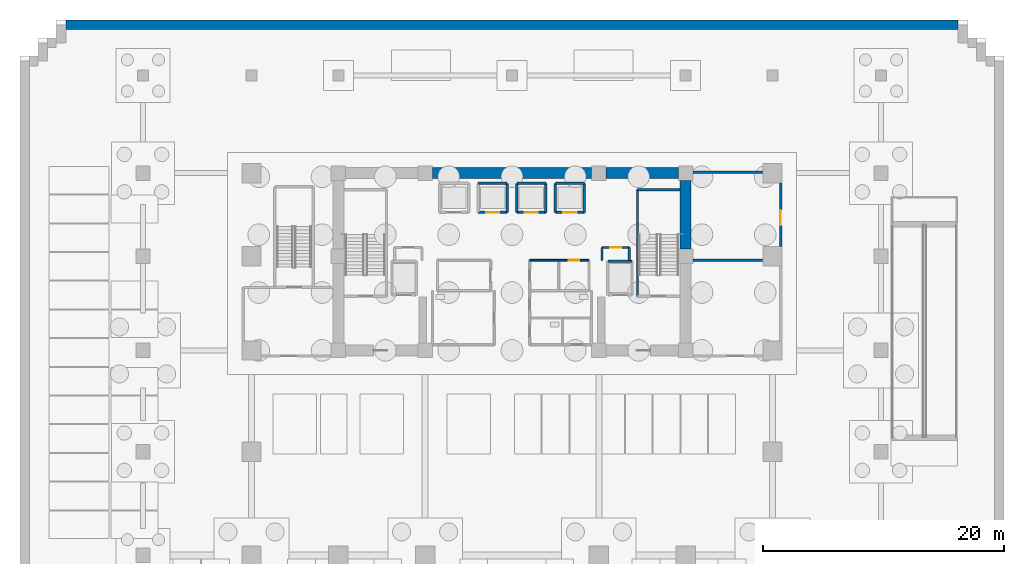
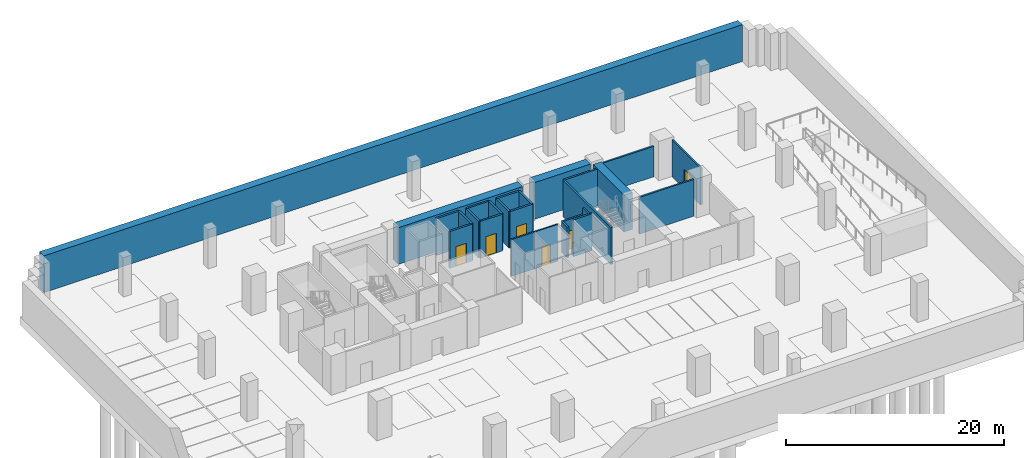
# One storey, part 5 of 13: 26 walls, 6 doors, 6 openings.
"""IFC4 building model written with IfcOpenShell, lengths in metres."""

from ifc_helpers import new_model, si_unit, direction, frame, frame_2d, origin, place, context, subcontext, project, spatial, rectangle, extrude, source, transform, mapped, material, layer, layer_set, type_object, element, fill, save


model = new_model("IFC4")

# Units and contexts
model_context = context("Model", 3, precision=1e-05, world=origin(), true_north=direction((0.0, 1.0)))
body_context = subcontext(model_context, "Body", "Model", "MODEL_VIEW")
ifc_project = project(units=[si_unit("LENGTHUNIT", "METRE"), si_unit("AREAUNIT", "SQUARE_METRE"), si_unit("VOLUMEUNIT", "CUBIC_METRE"), si_unit("PLANEANGLEUNIT", "RADIAN"), si_unit("MASSUNIT", "GRAM", prefix="KILO")], contexts=[model_context])

# Site, building, storey
site_placement = place(None, origin())
site = spatial("IfcSite", under=ifc_project, at=site_placement, CompositionType="ELEMENT")
building_placement = place(site_placement, origin())
building = spatial("IfcBuilding", under=site, at=building_placement, Name="Zarnakvel Exchange Tower", CompositionType="ELEMENT")
storey_placement = place(building_placement, frame((0.0, 0.0, -13.199951171875)))
storey = spatial("IfcBuildingStorey", under=building, at=storey_placement, Name="B03", CompositionType="ELEMENT", Elevation=-13.199951171875)

# Walls
ifc_material_1 = material(Name="Concrete C80/95", Category="concrete")
ifc_layer_1 = layer(ifc_material_1, 0.89990234375)
ifc_layer_set_1 = layer_set([ifc_layer_1], Name="Concrete C80/95")
wall_type_1 = type_object("IfcWallType", Name="CW-C1", PredefinedType="SHEAR", material=ifc_layer_set_1)
wall_1_placement = place(storey_placement, frame((-6.60009765625, 13.5, 0.0), z_axis=(0.0, 0.0, 1.0), x_axis=(1.0, 0.0, 0.0)))
element("IfcWall", 1, at=wall_1_placement, inside=storey, type_object=wall_type_1, Name="B03 Rear Core Shear Wall N2 (CW-C1)", PredefinedType="SHEAR", context=body_context, shape_type="SweptSolid", body=[
    extrude(rectangle(XDim=13.2001953125, YDim=0.89990234375, at=frame_2d((6.60009765625, 0.0))), origin(), (0.0, 0.0, 1.0), 4.119873046875),
])
wall_2_placement = place(storey_placement, frame((7.800048828125, 13.5, 0.0), z_axis=(0.0, 0.0, 1.0), x_axis=(1.0, 0.0, 0.0)))
element("IfcWall", 2, at=wall_2_placement, inside=storey, type_object=wall_type_1, Name="B03 Rear Core Shear Wall N3 (CW-C1)", PredefinedType="SHEAR", context=body_context, shape_type="SweptSolid", body=[
    extrude(rectangle(XDim=6.0, YDim=0.89990234375, at=frame_2d((3.0, 0.0))), origin(), (0.0, 0.0, 1.0), 4.119873046875),
])
wall_3_placement = place(storey_placement, frame((14.39990234375, 7.199951171875, 0.0), z_axis=(0.0, 0.0, 1.0), x_axis=(0.0, 1.0, 0.0)))
element("IfcWall", 3, at=wall_3_placement, inside=storey, type_object=wall_type_1, Name="B03 Rear Core Shear Wall E2 (CW-C1)", PredefinedType="SHEAR", context=body_context, shape_type="SweptSolid", body=[
    extrude(rectangle(XDim=5.699951171875, YDim=0.89990234375, at=frame_2d((2.85009765625, 0.0))), origin(), (0.0, 0.0, 1.0), 4.119873046875),
])
ifc_material_2 = material(Name="Fire-Rated Gypsum Stud Partition", Category="gypsum")
ifc_layer_2 = layer(ifc_material_2, 0.14990234375)
ifc_layer_set_2 = layer_set([ifc_layer_2], Name="Fire-Rated Gypsum Stud Partition")
wall_type_2 = type_object("IfcWallType", Name="PT-01", PredefinedType="PARTITIONING", material=ifc_layer_set_2)
wall_4_placement = place(storey_placement, frame((1.469970703125, 6.280029296875, 0.0), z_axis=(0.0, 0.0, 1.0), x_axis=(1.0, 0.0, 0.0)))
element("IfcWall", 4, at=wall_4_placement, inside=storey, type_object=wall_type_2, Name="B03 Partition Wall PWALL-B03-018 (PT-01)", PredefinedType="PARTITIONING", context=body_context, shape_type="SweptSolid", body=[
    extrude(rectangle(XDim=2.409912109375, YDim=0.14990234375, at=frame_2d((1.205078125, 0.0))), origin(), (0.0, 0.0, 1.0), 4.119873046875),
])

# Wall, opening, door
wall_5_placement = place(storey_placement, frame((3.8798828125, 6.280029296875, 0.0), z_axis=(0.0, 0.0, 1.0), x_axis=(1.0, 0.0, 0.0)))
wall_5 = element("IfcWall", 5, at=wall_5_placement, inside=storey, type_object=wall_type_2, Name="B03 Partition Wall PWALL-B03-022 (PT-01)", PredefinedType="PARTITIONING", context=body_context, shape_type="SweptSolid", body=[
    extrude(rectangle(XDim=2.5, YDim=0.14990234375, at=frame_2d((1.25, 0.0))), origin(), (0.0, 0.0, 1.0), 4.119873046875),
])
opening_1_placement = place(wall_5_placement, frame((0.81005859375, 0.0, 0.0)))
opening_1 = element("IfcOpeningElement", 6, at=opening_1_placement, cuts=wall_5, Name="Opening D-B03-07", PredefinedType="OPENING", context=body_context, shape_type="SweptSolid", body=[
    extrude(rectangle(XDim=0.8798828125, YDim=2.14990234375, at=frame_2d((0.43994140625, 1.074951171875))), frame((0.0, 0.0849609375, 0.0), z_axis=(0.0, -1.0, 0.0), x_axis=(1.0, 0.0, 0.0)), (0.0, 0.0, 1.0), 0.169921875),
])
ifc_material_3 = material(Name="Timber Acoustic Veneer", Category="wood")
door_type_1 = type_object("IfcDoorType", Name="DT-05", OperationType="NOTDEFINED", PredefinedType="DOOR", material=ifc_material_3)
shared_shape_1 = source(origin(), body_context, "Body", "SweptSolid", [
    extrude(rectangle(XDim=0.8798828125, YDim=2.14990234375, at=frame_2d((0.43994140625, 1.074951171875))), frame((0.0, 0.02490234375, 0.0), z_axis=(0.0, -1.0, 0.0), x_axis=(1.0, 0.0, 0.0)), (0.0, 0.0, 1.0), 0.050048828125),
])
door_1_placement = place(opening_1_placement, origin())
door_1 = element("IfcDoor", 7, at=door_1_placement, inside=storey, type_object=door_type_1, Name="B03 Data Copy Room Door D-B03-07", OperationType="SINGLE_SWING_RIGHT", OverallHeight=2.14990234375, OverallWidth=0.8798828125, PredefinedType="DOOR", context=body_context, shape_type="MappedRepresentation", body=[
    mapped(shared_shape_1, transform((0.0, 0.0, 0.0), x_axis=(1.0, 0.0, 0.0), y_axis=(0.0, 1.0, 0.0), z_axis=(0.0, 0.0, 1.0), scale=1.0)),
])
fill(opening_1, door_1)

ifc_layer_3 = layer(ifc_material_2, 0.179931640625)
ifc_layer_set_3 = layer_set([ifc_layer_3], Name="Fire-Rated Gypsum Stud Partition")
wall_type_3 = type_object("IfcWallType", Name="PT-02", PredefinedType="PARTITIONING", material=ifc_layer_set_3)
wall_6_placement = place(storey_placement, frame((7.469970703125, 7.330078125, 0.0), z_axis=(0.0, 0.0, 1.0), x_axis=(1.0, 0.0, 0.0)))
wall_6 = element("IfcWall", 8, at=wall_6_placement, inside=storey, type_object=wall_type_3, Name="B03 Partition Wall PWALL-B03-010 (PT-02)", PredefinedType="PARTITIONING", context=body_context, shape_type="SweptSolid", body=[
    extrude(rectangle(XDim=2.260009765625, YDim=0.179931640625, at=frame_2d((1.1298828125, 0.0))), origin(), (0.0, 0.0, 1.0), 3.409912109375),
])
opening_2_placement = place(wall_6_placement, frame((0.68994140625, 0.0, 0.0)))
opening_2 = element("IfcOpeningElement", 9, at=opening_2_placement, cuts=wall_6, Name="Opening D-B03-17", PredefinedType="OPENING", context=body_context, shape_type="SweptSolid", body=[
    extrude(rectangle(XDim=0.8798828125, YDim=2.10009765625, at=frame_2d((0.43994140625, 1.050048828125))), frame((0.0, 0.099853515625, 0.0), z_axis=(0.0, -1.0, 0.0), x_axis=(1.0, 0.0, 0.0)), (0.0, 0.0, 1.0), 0.199951171875),
])
ifc_material_4 = material(Name="Painted Galvanised Steel S355", Category="steel")
door_type_2 = type_object("IfcDoorType", Name="DT-08", OperationType="NOTDEFINED", PredefinedType="DOOR", material=ifc_material_4)
shared_shape_2 = source(origin(), body_context, "Body", "SweptSolid", [
    extrude(rectangle(XDim=0.8798828125, YDim=2.10009765625, at=frame_2d((0.43994140625, 1.050048828125))), frame((0.0, 0.02490234375, 0.0), z_axis=(0.0, -1.0, 0.0), x_axis=(1.0, 0.0, 0.0)), (0.0, 0.0, 1.0), 0.050048828125),
])
door_2_placement = place(opening_2_placement, origin())
door_2 = element("IfcDoor", 10, at=door_2_placement, inside=storey, type_object=door_type_2, Name="B03 Telecom Riser Door D-B03-17", OperationType="SINGLE_SWING_RIGHT", OverallHeight=2.10009765625, OverallWidth=0.8798828125, PredefinedType="DOOR", context=body_context, shape_type="MappedRepresentation", body=[
    mapped(shared_shape_2, transform((0.0, 0.0, 0.0), x_axis=(1.0, 0.0, 0.0), y_axis=(0.0, 1.0, 0.0), z_axis=(0.0, 0.0, 1.0), scale=1.0)),
])
fill(opening_2, door_2)

# Walls
wall_7_placement = place(storey_placement, frame((7.469970703125, 6.239990234375, 0.0), z_axis=(0.0, 0.0, 1.0), x_axis=(0.0, 1.0, 0.0)))
element("IfcWall", 11, at=wall_7_placement, inside=storey, type_object=wall_type_3, Name="B03 Partition Wall PWALL-B03-011 (PT-02)", PredefinedType="PARTITIONING", context=body_context, shape_type="SweptSolid", body=[
    extrude(rectangle(XDim=1.090087890625, YDim=0.179931640625, at=frame_2d((0.544921875, 0.0))), origin(), (0.0, 0.0, 1.0), 3.409912109375),
])
wall_8_placement = place(storey_placement, frame((9.72998046875, 7.330078125, 0.0), z_axis=(0.0, 0.0, 1.0), x_axis=(0.0, -1.0, 0.0)))
element("IfcWall", 12, at=wall_8_placement, inside=storey, type_object=wall_type_3, Name="B03 Partition Wall PWALL-B03-012 (PT-02)", PredefinedType="PARTITIONING", context=body_context, shape_type="SweptSolid", body=[
    extrude(rectangle(XDim=1.090087890625, YDim=0.179931640625, at=frame_2d((0.544921875, 0.0))), origin(), (0.0, 0.0, 1.0), 4.119873046875),
])
wall_9_placement = place(storey_placement, frame((15.02001953125, 6.280029296875, 0.0), z_axis=(0.0, 0.0, 1.0), x_axis=(1.0, 0.0, 0.0)))
element("IfcWall", 13, at=wall_9_placement, inside=storey, type_object=wall_type_3, Name="B03 Partition Wall PWALL-B03-044 (PT-02)", PredefinedType="PARTITIONING", context=body_context, shape_type="SweptSolid", body=[
    extrude(rectangle(XDim=5.760009765625, YDim=0.179931640625, at=frame_2d((2.8798828125, 0.0))), origin(), (0.0, 0.0, 1.0), 4.119873046875),
])
wall_10_placement = place(storey_placement, frame((15.02001953125, 13.580078125, 0.0), z_axis=(0.0, 0.0, 1.0), x_axis=(1.0, 0.0, 0.0)))
element("IfcWall", 14, at=wall_10_placement, inside=storey, type_object=wall_type_3, Name="B03 Partition Wall PWALL-B03-046 (PT-02)", PredefinedType="PARTITIONING", context=body_context, shape_type="SweptSolid", body=[
    extrude(rectangle(XDim=5.760009765625, YDim=0.179931640625, at=frame_2d((2.8798828125, 0.0))), origin(), (0.0, 0.0, 1.0), 3.409912109375),
])

# Wall, opening, door
wall_11_placement = place(storey_placement, frame((22.280029296875, 12.679931640625, 0.0), z_axis=(0.0, 0.0, 1.0), x_axis=(0.0, -1.0, 0.0)))
wall_11 = element("IfcWall", 15, at=wall_11_placement, inside=storey, type_object=wall_type_3, Name="B03 Partition Wall PWALL-B03-047 (PT-02)", PredefinedType="PARTITIONING", context=body_context, shape_type="SweptSolid", body=[
    extrude(rectangle(XDim=5.260009765625, YDim=0.179931640625, at=frame_2d((2.6298828125, 0.0))), origin(), (0.0, 0.0, 1.0), 4.119873046875),
])
opening_3_placement = place(wall_11_placement, frame((2.2548828125, 0.0, 0.0)))
opening_3 = element("IfcOpeningElement", 16, at=opening_3_placement, cuts=wall_11, Name="Opening D-B03-15", PredefinedType="OPENING", context=body_context, shape_type="SweptSolid", body=[
    extrude(rectangle(XDim=1.25, YDim=2.14990234375, at=frame_2d((0.625, 1.074951171875))), frame((0.0, 0.099853515625, 0.0), z_axis=(0.0, -1.0, 0.0), x_axis=(1.0, 0.0, 0.0)), (0.0, 0.0, 1.0), 0.199951171875),
])
door_type_3 = type_object("IfcDoorType", Name="DT-06", OperationType="NOTDEFINED", PredefinedType="DOOR", material=ifc_material_4)
shared_shape_3 = source(origin(), body_context, "Body", "SweptSolid", [
    extrude(rectangle(XDim=1.25, YDim=2.14990234375, at=frame_2d((0.625, 1.074951171875))), frame((0.0, 0.02490234375, 0.0), z_axis=(0.0, -1.0, 0.0), x_axis=(1.0, 0.0, 0.0)), (0.0, 0.0, 1.0), 0.050048828125),
])
door_3_placement = place(opening_3_placement, origin())
door_3 = element("IfcDoor", 17, at=door_3_placement, inside=storey, type_object=door_type_3, Name="B03 Potable and Fire Water Tank Room Door D-B03-15", OperationType="SINGLE_SWING_RIGHT", OverallHeight=2.14990234375, OverallWidth=1.25, PredefinedType="DOOR", context=body_context, shape_type="MappedRepresentation", body=[
    mapped(shared_shape_3, transform((0.0, 0.0, 0.0), x_axis=(1.0, 0.0, 0.0), y_axis=(0.0, 1.0, 0.0), z_axis=(0.0, 0.0, 1.0), scale=1.0)),
])
fill(opening_3, door_3)

# Walls
ifc_material_5 = material(Name="Concrete C50/60", Category="concrete")
ifc_layer_4 = layer(ifc_material_5, 0.800048828125)
ifc_layer_set_4 = layer_set([ifc_layer_4], Name="Concrete C50/60")
wall_type_4 = type_object("IfcWallType", Name="RW-01", PredefinedType="USERDEFINED", material=ifc_layer_set_4)
wall_12_placement = place(storey_placement, frame((-37.0, 25.800048828125, 0.0), z_axis=(0.0, 0.0, 1.0), x_axis=(1.0, 0.0, 0.0)))
element("IfcWall", 18, at=wall_12_placement, inside=storey, type_object=wall_type_4, Name="B03 Perimeter Retaining Wall RW-01 #6", ObjectType="RETAININGWALL", PredefinedType="USERDEFINED", context=body_context, shape_type="SweptSolid", body=[
    extrude(rectangle(XDim=74.0, YDim=0.800048828125, at=frame_2d((37.0, 0.0))), origin(), (0.0, 0.0, 1.0), 4.119873046875),
])
ifc_material_6 = material(Name="Concrete C40/50", Category="concrete")
ifc_layer_5 = layer(ifc_material_6, 0.199951171875)
ifc_layer_set_5 = layer_set([ifc_layer_5], Name="Concrete C40/50")
wall_type_5 = type_object("IfcWallType", Name="SW-01", PredefinedType="SOLIDWALL", material=ifc_layer_set_5)
wall_13_placement = place(storey_placement, frame((7.949951171875, 6.199951171875, 0.0), z_axis=(0.0, 0.0, 1.0), x_axis=(1.0, 0.0, 0.0)))
element("IfcWall", 19, at=wall_13_placement, inside=storey, type_object=wall_type_5, Name="B03 FL-02 Hoistway Wall North", PredefinedType="SOLIDWALL", context=body_context, shape_type="SweptSolid", body=[
    extrude(rectangle(XDim=2.0, YDim=0.199951171875, at=frame_2d((1.0, 0.0))), origin(), (0.0, 0.0, 1.0), 4.119873046875),
])

# Wall, opening, door
wall_14_placement = place(storey_placement, frame((-0.39990234375, 10.25, 0.0), z_axis=(0.0, 0.0, 1.0), x_axis=(-1.0, 0.0, 0.0)))
wall_14 = element("IfcWall", 20, at=wall_14_placement, inside=storey, type_object=wall_type_5, Name="B03 PL-02 Hoistway Wall South", PredefinedType="SOLIDWALL", context=body_context, shape_type="SweptSolid", body=[
    extrude(rectangle(XDim=2.400146484375, YDim=0.199951171875, at=frame_2d((1.2001953125, 0.0))), origin(), (0.0, 0.0, 1.0), 4.119873046875),
])
opening_4_placement = place(wall_14_placement, frame((0.64990234375, 0.0, 0.0)))
opening_4 = element("IfcOpeningElement", 21, at=opening_4_placement, cuts=wall_14, Name="Opening LD-PL-02-B03", PredefinedType="OPENING", context=body_context, shape_type="SweptSolid", body=[
    extrude(rectangle(XDim=1.10009765625, YDim=2.199951171875, at=frame_2d((0.550048828125, 1.10009765625))), frame((0.0, 0.10986328125, 0.0), z_axis=(0.0, -1.0, 0.0), x_axis=(1.0, 0.0, 0.0)), (0.0, 0.0, 1.0), 0.219970703125),
])
ifc_material_7 = material(Name="Architectural Bronze Anodised Aluminium", Category="aluminium")
door_type_4 = type_object("IfcDoorType", Name="LDT-02", OperationType="NOTDEFINED", PredefinedType="DOOR", material=ifc_material_7)
shared_shape_4 = source(origin(), body_context, "Body", "SweptSolid", [
    extrude(rectangle(XDim=1.10009765625, YDim=2.199951171875, at=frame_2d((0.550048828125, 1.10009765625))), frame((0.0, 0.02490234375, 0.0), z_axis=(0.0, -1.0, 0.0), x_axis=(1.0, 0.0, 0.0)), (0.0, 0.0, 1.0), 0.050048828125),
])
door_4_placement = place(opening_4_placement, origin())
door_4 = element("IfcDoor", 22, at=door_4_placement, inside=storey, type_object=door_type_4, Name="B03 PL-02 Lift Landing Door LD-PL-02-B03", OperationType="DOUBLE_DOOR_SLIDING", OverallHeight=2.199951171875, OverallWidth=1.10009765625, PredefinedType="DOOR", context=body_context, shape_type="MappedRepresentation", body=[
    mapped(shared_shape_4, transform((0.0, 0.0, 0.0), x_axis=(1.0, 0.0, 0.0), y_axis=(0.0, 1.0, 0.0), z_axis=(0.0, 0.0, 1.0), scale=1.0)),
])
fill(opening_4, door_4)

# Walls
wall_15_placement = place(storey_placement, frame((-2.800048828125, 12.64990234375, 0.0), z_axis=(0.0, 0.0, 1.0), x_axis=(1.0, 0.0, 0.0)))
element("IfcWall", 23, at=wall_15_placement, inside=storey, type_object=wall_type_5, Name="B03 PL-02 Hoistway Wall North", PredefinedType="SOLIDWALL", context=body_context, shape_type="SweptSolid", body=[
    extrude(rectangle(XDim=2.400146484375, YDim=0.199951171875, at=frame_2d((1.2001953125, 0.0))), origin(), (0.0, 0.0, 1.0), 4.119873046875),
])
wall_16_placement = place(storey_placement, frame((-0.39990234375, 12.64990234375, 0.0), z_axis=(0.0, 0.0, 1.0), x_axis=(0.0, -1.0, 0.0)))
element("IfcWall", 24, at=wall_16_placement, inside=storey, type_object=wall_type_5, Name="B03 PL-02 Hoistway Wall East", PredefinedType="SOLIDWALL", context=body_context, shape_type="SweptSolid", body=[
    extrude(rectangle(XDim=2.39990234375, YDim=0.199951171875, at=frame_2d((1.199951171875, 0.0))), origin(), (0.0, 0.0, 1.0), 4.119873046875),
])

# Wall, opening, door
wall_17_placement = place(storey_placement, frame((2.800048828125, 10.25, 0.0), z_axis=(0.0, 0.0, 1.0), x_axis=(-1.0, 0.0, 0.0)))
wall_17 = element("IfcWall", 25, at=wall_17_placement, inside=storey, type_object=wall_type_5, Name="B03 PL-03 Hoistway Wall South", PredefinedType="SOLIDWALL", context=body_context, shape_type="SweptSolid", body=[
    extrude(rectangle(XDim=2.400146484375, YDim=0.199951171875, at=frame_2d((1.2001953125, 0.0))), origin(), (0.0, 0.0, 1.0), 4.119873046875),
])
opening_5_placement = place(wall_17_placement, frame((0.64990234375, 0.0, 0.0)))
opening_5 = element("IfcOpeningElement", 26, at=opening_5_placement, cuts=wall_17, Name="Opening LD-PL-03-B03", PredefinedType="OPENING", context=body_context, shape_type="SweptSolid", body=[
    extrude(rectangle(XDim=1.10009765625, YDim=2.199951171875, at=frame_2d((0.550048828125, 1.10009765625))), frame((0.0, 0.10986328125, 0.0), z_axis=(0.0, -1.0, 0.0), x_axis=(1.0, 0.0, 0.0)), (0.0, 0.0, 1.0), 0.219970703125),
])
door_5_placement = place(opening_5_placement, origin())
door_5 = element("IfcDoor", 27, at=door_5_placement, inside=storey, type_object=door_type_4, Name="B03 PL-03 Lift Landing Door LD-PL-03-B03", OperationType="DOUBLE_DOOR_SLIDING", OverallHeight=2.199951171875, OverallWidth=1.10009765625, PredefinedType="DOOR", context=body_context, shape_type="MappedRepresentation", body=[
    mapped(shared_shape_4, transform((0.0, 0.0, 0.0), x_axis=(1.0, 0.0, 0.0), y_axis=(0.0, 1.0, 0.0), z_axis=(0.0, 0.0, 1.0), scale=1.0)),
])
fill(opening_5, door_5)

# Walls
wall_18_placement = place(storey_placement, frame((0.39990234375, 12.64990234375, 0.0), z_axis=(0.0, 0.0, 1.0), x_axis=(1.0, 0.0, 0.0)))
element("IfcWall", 28, at=wall_18_placement, inside=storey, type_object=wall_type_5, Name="B03 PL-03 Hoistway Wall North", PredefinedType="SOLIDWALL", context=body_context, shape_type="SweptSolid", body=[
    extrude(rectangle(XDim=2.400146484375, YDim=0.199951171875, at=frame_2d((1.2001953125, 0.0))), origin(), (0.0, 0.0, 1.0), 4.119873046875),
])
for number, where, z_axis, x_axis, name in (
    (29, (0.39990234375, 10.25, 0.0), (0.0, 0.0, 1.0), (0.0, 1.0, 0.0), "B03 PL-03 Hoistway Wall West"),
    (30, (2.800048828125, 12.64990234375, 0.0), (0.0, 0.0, 1.0), (0.0, -1.0, 0.0), "B03 PL-03 Hoistway Wall East"),
):
    element("IfcWall", number, at=place(storey_placement, frame(where, z_axis=z_axis, x_axis=x_axis)), inside=storey, type_object=wall_type_5, Name=name, PredefinedType="SOLIDWALL", context=body_context, shape_type="SweptSolid", body=[
        extrude(rectangle(XDim=2.39990234375, YDim=0.199951171875, at=frame_2d((1.199951171875, 0.0))), origin(), (0.0, 0.0, 1.0), 4.119873046875),
    ])

# Wall, opening, door
wall_19_placement = place(storey_placement, frame((6.0, 10.25, 0.0), z_axis=(0.0, 0.0, 1.0), x_axis=(-1.0, 0.0, 0.0)))
wall_19 = element("IfcWall", 31, at=wall_19_placement, inside=storey, type_object=wall_type_5, Name="B03 PL-04 Hoistway Wall South", PredefinedType="SOLIDWALL", context=body_context, shape_type="SweptSolid", body=[
    extrude(rectangle(XDim=2.39990234375, YDim=0.199951171875, at=frame_2d((1.199951171875, 0.0))), origin(), (0.0, 0.0, 1.0), 4.119873046875),
])
opening_6_placement = place(wall_19_placement, frame((0.64990234375, 0.0, 0.0)))
opening_6 = element("IfcOpeningElement", 32, at=opening_6_placement, cuts=wall_19, Name="Opening LD-PL-04-B03", PredefinedType="OPENING", context=body_context, shape_type="SweptSolid", body=[
    extrude(rectangle(XDim=1.10009765625, YDim=2.199951171875, at=frame_2d((0.550048828125, 1.10009765625))), frame((0.0, 0.10986328125, 0.0), z_axis=(0.0, -1.0, 0.0), x_axis=(1.0, 0.0, 0.0)), (0.0, 0.0, 1.0), 0.219970703125),
])
door_6_placement = place(opening_6_placement, origin())
door_6 = element("IfcDoor", 33, at=door_6_placement, inside=storey, type_object=door_type_4, Name="B03 PL-04 Lift Landing Door LD-PL-04-B03", OperationType="DOUBLE_DOOR_SLIDING", OverallHeight=2.199951171875, OverallWidth=1.10009765625, PredefinedType="DOOR", context=body_context, shape_type="MappedRepresentation", body=[
    mapped(shared_shape_4, transform((0.0, 0.0, 0.0), x_axis=(1.0, 0.0, 0.0), y_axis=(0.0, 1.0, 0.0), z_axis=(0.0, 0.0, 1.0), scale=1.0)),
])
fill(opening_6, door_6)

# Walls
for number, where, z_axis, x_axis, name in (
    (34, (3.60009765625, 12.64990234375, 0.0), (0.0, 0.0, 1.0), (1.0, 0.0, 0.0), "B03 PL-04 Hoistway Wall North"),
    (35, (3.60009765625, 10.25, 0.0), (0.0, 0.0, 1.0), (0.0, 1.0, 0.0), "B03 PL-04 Hoistway Wall West"),
    (36, (6.0, 12.64990234375, 0.0), (0.0, 0.0, 1.0), (0.0, -1.0, 0.0), "B03 PL-04 Hoistway Wall East"),
):
    element("IfcWall", number, at=place(storey_placement, frame(where, z_axis=z_axis, x_axis=x_axis)), inside=storey, type_object=wall_type_5, Name=name, PredefinedType="SOLIDWALL", context=body_context, shape_type="SweptSolid", body=[
        extrude(rectangle(XDim=2.39990234375, YDim=0.199951171875, at=frame_2d((1.199951171875, 0.0))), origin(), (0.0, 0.0, 1.0), 4.119873046875),
    ])
ifc_layer_6 = layer(ifc_material_6, 0.199951171875)
ifc_layer_set_6 = layer_set([ifc_layer_6], Name="Concrete C40/50")
wall_type_6 = type_object("IfcWallType", Name="SW-02", PredefinedType="SOLIDWALL", material=ifc_layer_set_6)
wall_20_placement = place(storey_placement, frame((10.409912109375, 12.1298828125, 0.0), z_axis=(0.0, 0.0, 1.0), x_axis=(1.0, 0.0, 0.0)))
element("IfcWall", 37, at=wall_20_placement, inside=storey, type_object=wall_type_6, Name="B03 Stairwell Core Wall PWALL-B03-005 (SW-02)", PredefinedType="SOLIDWALL", context=body_context, shape_type="SweptSolid", body=[
    extrude(rectangle(XDim=3.52001953125, YDim=0.199951171875, at=frame_2d((1.760009765625, 0.0))), origin(), (0.0, 0.0, 1.0), 4.119873046875),
])
wall_21_placement = place(storey_placement, frame((10.409912109375, 3.2900390625, 0.0), z_axis=(0.0, 0.0, 1.0), x_axis=(0.0, 1.0, 0.0)))
element("IfcWall", 38, at=wall_21_placement, inside=storey, type_object=wall_type_6, Name="B03 Stairwell Core Wall PWALL-B03-006 (SW-02)", PredefinedType="SOLIDWALL", context=body_context, shape_type="SweptSolid", body=[
    extrude(rectangle(XDim=8.83984375, YDim=0.199951171875, at=frame_2d((4.419921875, 0.0))), origin(), (0.0, 0.0, 1.0), 4.119873046875),
])

save(model, "model.ifc")
